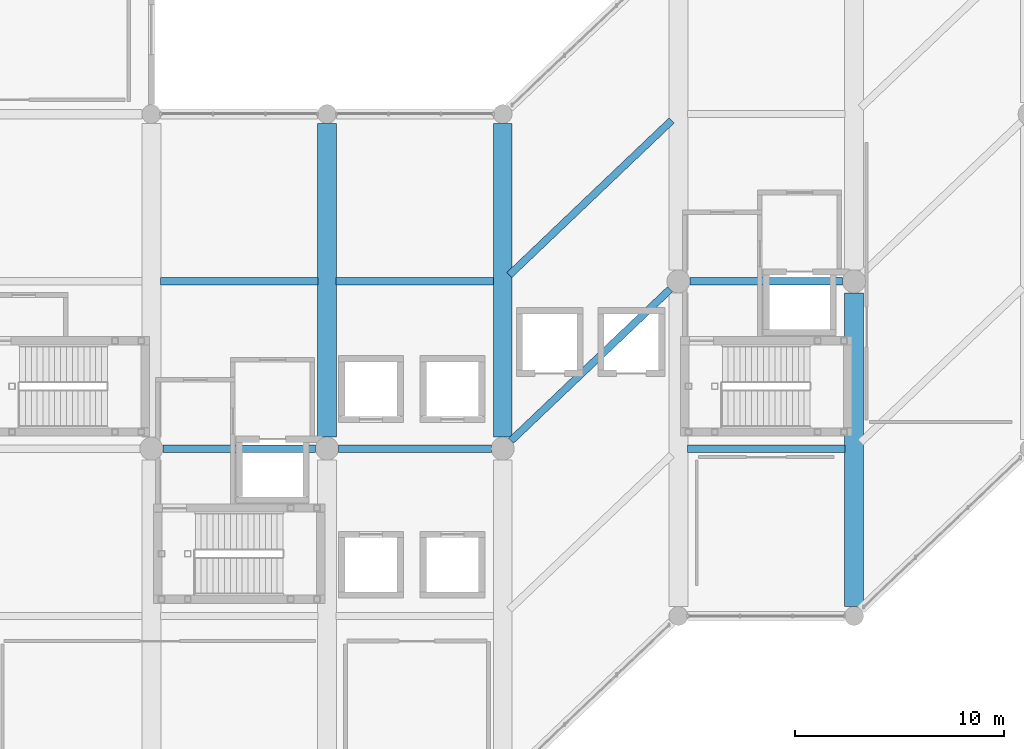
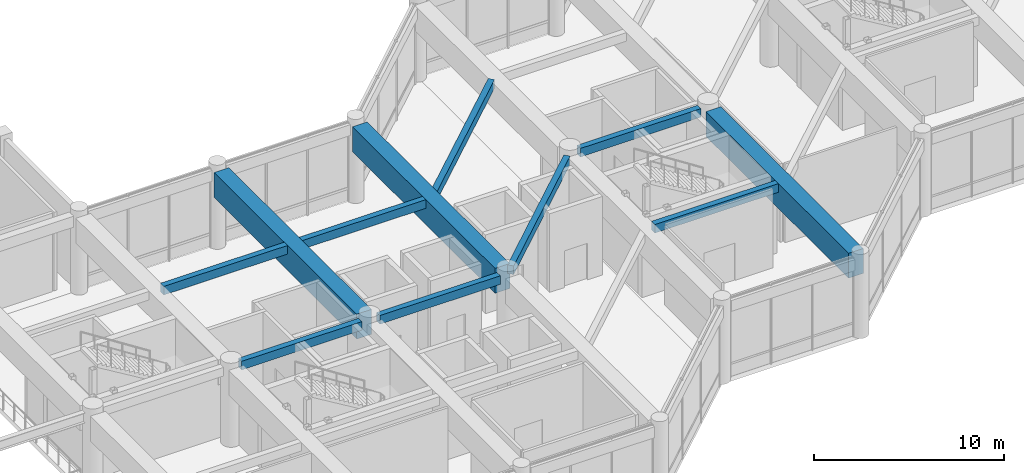
# One storey, part 44 of 79: 11 beams.
"""IFC4 building model written with IfcOpenShell, lengths in metres."""

from ifc_helpers import new_model, si_unit, direction, frame, origin, origin_2d, place, context, subcontext, project, spatial, rectangle, extrude, material, material_profile, profile_set, type_object, element, save


model = new_model("IFC4")

# Units and contexts
model_context = context("Model", 3, precision=1e-05, world=origin(), true_north=direction((0.0, 1.0)))
body_context = subcontext(model_context, "Body", "Model", "MODEL_VIEW")
ifc_project = project(units=[si_unit("LENGTHUNIT", "METRE"), si_unit("AREAUNIT", "SQUARE_METRE"), si_unit("VOLUMEUNIT", "CUBIC_METRE"), si_unit("PLANEANGLEUNIT", "RADIAN"), si_unit("MASSUNIT", "GRAM", prefix="KILO")], contexts=[model_context])

# Site, building, storey
site_placement = place(None, origin())
site = spatial("IfcSite", under=ifc_project, at=site_placement, CompositionType="ELEMENT")
building_placement = place(site_placement, origin())
building = spatial("IfcBuilding", under=site, at=building_placement, Name="Naruveol Harbour Congress Hotel", CompositionType="ELEMENT")
storey_placement = place(building_placement, frame((0.0, 0.0, 6.0)))
storey = spatial("IfcBuildingStorey", under=building, at=storey_placement, Name="L01", CompositionType="ELEMENT", Elevation=6.0)

# Beams
ifc_material_1 = material(Name="Concrete C40/50", Category="concrete")
ifc_material_profile_1 = material_profile(ifc_material_1, rectangle(XDim=0.35009765625, YDim=0.550048828125, at=origin_2d()), Name="RCB-350x550")
ifc_profile_set_1 = profile_set([ifc_material_profile_1], Name="Concrete C40/50")
beam_type_1 = type_object("IfcBeamType", Name="RC SECONDARY BEAM 350X550", PredefinedType="JOIST", material=ifc_profile_set_1)
beam_1_placement = place(storey_placement, frame((126.5458984375, 16.0, 4.77490234375), z_axis=(1.0, 0.0, 0.0), x_axis=(0.0, 1.0, 0.0)))
element("IfcBeam", 1, at=beam_1_placement, inside=storey, type_object=beam_type_1, Name="Hotel chord beam L02 CJ1", PredefinedType="JOIST", context=body_context, shape_type="SweptSolid", body=[
    extrude(rectangle(XDim=0.35009765625, YDim=0.550048828125, at=origin_2d()), origin(), (0.0, 0.0, 1.0), 7.30810546875),
])
beam_2_placement = place(storey_placement, frame((126.44091796875, 24.0, 4.77490234375), z_axis=(1.0, 0.0, 0.0), x_axis=(0.0, 1.0, 0.0)))
element("IfcBeam", 2, at=beam_2_placement, inside=storey, type_object=beam_type_1, Name="Hotel chord beam L02 CJ1", PredefinedType="JOIST", context=body_context, shape_type="SweptSolid", body=[
    extrude(rectangle(XDim=0.35009765625, YDim=0.550048828125, at=origin_2d()), origin(), (0.0, 0.0, 1.0), 7.51806640625),
])
beam_3_placement = place(storey_placement, frame((134.946044921875, 16.0, 4.77490234375), z_axis=(1.0, 0.0, 0.0), x_axis=(0.0, 1.0, 0.0)))
element("IfcBeam", 3, at=beam_3_placement, inside=storey, type_object=beam_type_1, Name="Hotel chord beam L02 CJ1", PredefinedType="JOIST", context=body_context, shape_type="SweptSolid", body=[
    extrude(rectangle(XDim=0.35009765625, YDim=0.550048828125, at=origin_2d()), origin(), (0.0, 0.0, 1.0), 7.307861328125),
])
beam_4_placement = place(storey_placement, frame((134.841064453125, 24.0, 4.77490234375), z_axis=(1.0, 0.0, 0.0), x_axis=(0.0, 1.0, 0.0)))
element("IfcBeam", 4, at=beam_4_placement, inside=storey, type_object=beam_type_1, Name="Hotel chord beam L02 CJ1", PredefinedType="JOIST", context=body_context, shape_type="SweptSolid", body=[
    extrude(rectangle(XDim=0.35009765625, YDim=0.550048828125, at=origin_2d()), origin(), (0.0, 0.0, 1.0), 7.517822265625),
])
beam_5_placement = place(storey_placement, frame((143.1953125, 16.376708984375, 4.77490234375), z_axis=(0.724158926988, 0.68963312599, 0.0), x_axis=(-0.68963312599, 0.724158926988, 0.0)))
element("IfcBeam", 5, at=beam_5_placement, inside=storey, type_object=beam_type_1, Name="Hotel chord beam L02 CJ1", PredefinedType="JOIST", context=body_context, shape_type="SweptSolid", body=[
    extrude(rectangle(XDim=0.35009765625, YDim=0.550048828125, at=origin_2d()), origin(), (0.0, 0.0, 1.0), 10.5078125),
])
beam_6_placement = place(storey_placement, frame((143.119384765625, 24.30419921875, 4.77490234375), z_axis=(0.724140097867, 0.689652897232, 0.0), x_axis=(-0.689652897232, 0.724140097867, 0.0)))
element("IfcBeam", 6, at=beam_6_placement, inside=storey, type_object=beam_type_1, Name="Hotel chord beam L02 CJ1", PredefinedType="JOIST", context=body_context, shape_type="SweptSolid", body=[
    extrude(rectangle(XDim=0.35009765625, YDim=0.550048828125, at=origin_2d()), origin(), (0.0, 0.0, 1.0), 10.7177734375),
])
beam_7_placement = place(storey_placement, frame((151.64111328125, 16.0, 4.77490234375), z_axis=(1.0, 0.0, 0.0), x_axis=(0.0, 1.0, 0.0)))
element("IfcBeam", 7, at=beam_7_placement, inside=storey, type_object=beam_type_1, Name="Hotel chord beam L02 CJ1", PredefinedType="JOIST", context=body_context, shape_type="SweptSolid", body=[
    extrude(rectangle(XDim=0.35009765625, YDim=0.550048828125, at=origin_2d()), origin(), (0.0, 0.0, 1.0), 7.517822265625),
])
beam_8_placement = place(storey_placement, frame((151.74609375, 24.0, 4.77490234375), z_axis=(1.0, 0.0, 0.0), x_axis=(0.0, 1.0, 0.0)))
element("IfcBeam", 8, at=beam_8_placement, inside=storey, type_object=beam_type_1, Name="Hotel chord beam L02 CJ1", PredefinedType="JOIST", context=body_context, shape_type="SweptSolid", body=[
    extrude(rectangle(XDim=0.35009765625, YDim=0.550048828125, at=origin_2d()), origin(), (0.0, 0.0, 1.0), 7.307861328125),
])
ifc_material_2 = material(Name="Concrete C50/60", Category="concrete")
ifc_material_profile_2 = material_profile(ifc_material_2, rectangle(XDim=0.89990234375, YDim=1.60009765625, at=origin_2d()), Name="RCB-900x1600")
ifc_profile_set_2 = profile_set([ifc_material_profile_2], Name="Concrete C50/60")
beam_type_2 = type_object("IfcBeamType", Name="RC TRANSFER GIRDER 900X1600", PredefinedType="BEAM", material=ifc_profile_set_2)
for number, where, z_axis, x_axis, name in (
    (9, (134.39990234375, 16.5458984375, 4.25), (0.0, 1.0, 0.0), (-1.0, 0.0, 0.0), "Hotel L02 transfer girder S2 TG1"),
    (10, (142.800048828125, 16.5458984375, 4.25), (0.0, 1.0, 0.0), (-1.0, 0.0, 0.0), "Hotel L02 transfer girder S3 TG1"),
    (11, (159.60009765625, 8.446044921875, 4.25), (0.0, 1.0, 0.0), (-1.0, 0.0, 0.0), "Hotel L02 transfer girder S5 TG1"),
):
    element("IfcBeam", number, at=place(storey_placement, frame(where, z_axis=z_axis, x_axis=x_axis)), inside=storey, type_object=beam_type_2, Name=name, PredefinedType="BEAM", context=body_context, shape_type="SweptSolid", body=[
        extrude(rectangle(XDim=0.89990234375, YDim=1.60009765625, at=origin_2d()), origin(), (0.0, 0.0, 1.0), 15.008056640625),
    ])

save(model, "model.ifc")
